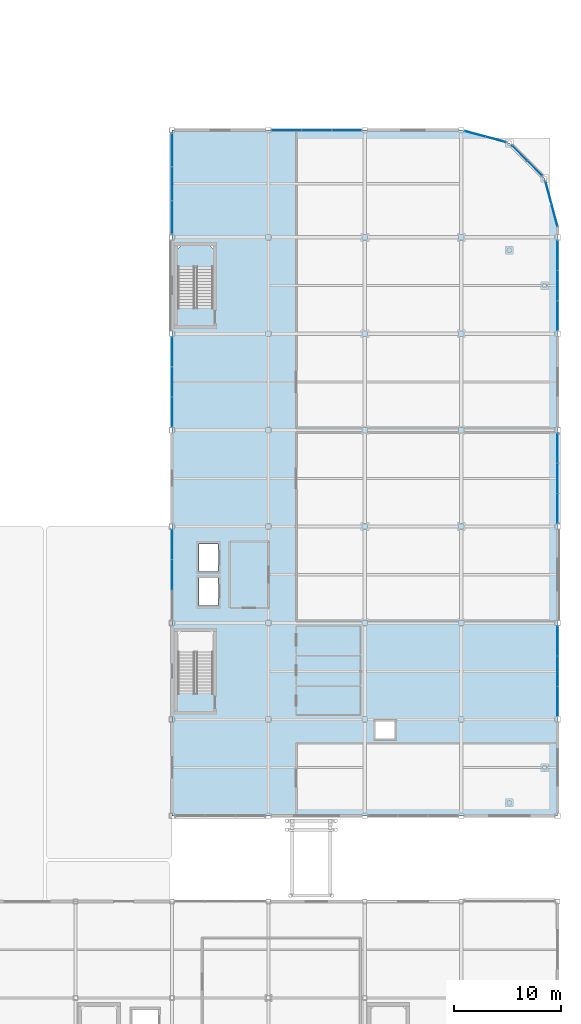
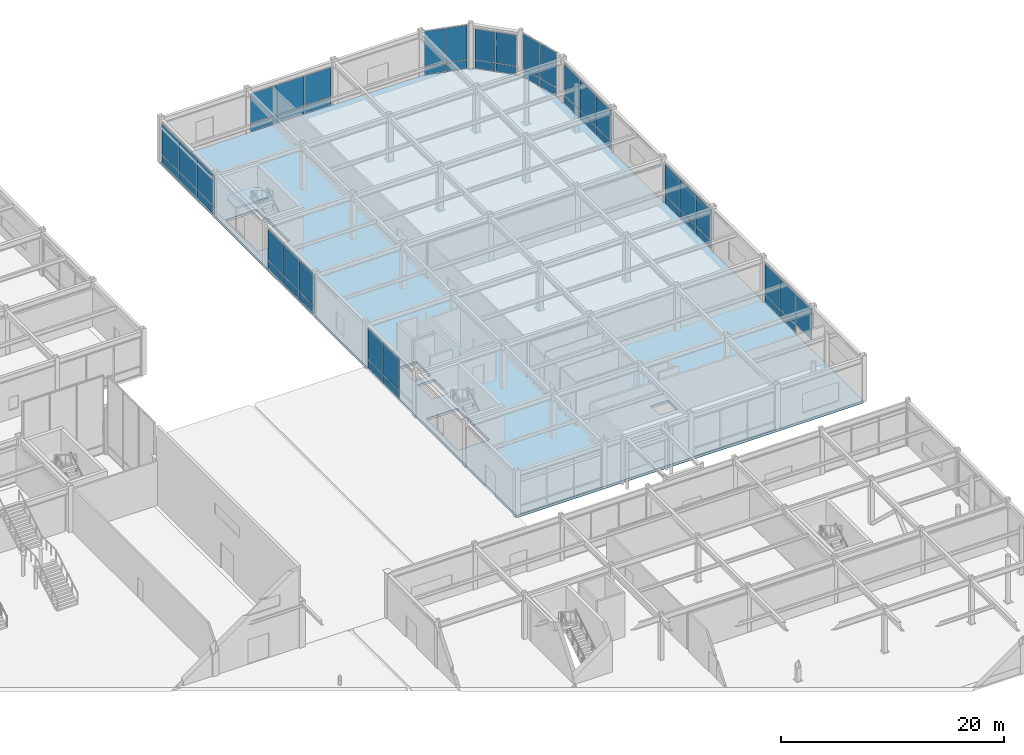
# One storey, part 70 of 123: 51 plates, 2 slabs, 11 elements without a shape of their own.
"""IFC4 building model written with IfcOpenShell, lengths in metres."""

from ifc_helpers import new_model, si_unit, direction, frame, origin, origin_2d, place, context, subcontext, project, spatial, polyline, rectangle, outline, extrude, material, layer, layer_set, type_object, element, aggregate, save


model = new_model("IFC4")

# Units and contexts
model_context = context("Model", 3, precision=1e-05, world=origin(), true_north=direction((0.0, 1.0)))
body_context = subcontext(model_context, "Body", "Model", "MODEL_VIEW")
ifc_project = project(units=[si_unit("LENGTHUNIT", "METRE"), si_unit("AREAUNIT", "SQUARE_METRE"), si_unit("VOLUMEUNIT", "CUBIC_METRE"), si_unit("PLANEANGLEUNIT", "RADIAN"), si_unit("MASSUNIT", "GRAM", prefix="KILO")], contexts=[model_context])

# Site, building, storey
site_placement = place(None, origin())
site = spatial("IfcSite", under=ifc_project, at=site_placement, CompositionType="ELEMENT")
building_placement = place(site_placement, origin())
building = spatial("IfcBuilding", under=site, at=building_placement, Name="Suzunagisa Mobility Hub", CompositionType="ELEMENT")
storey_placement = place(building_placement, origin())
storey = spatial("IfcBuildingStorey", under=building, at=storey_placement, Name="L00", CompositionType="ELEMENT", Elevation=0.0)

# Slab
ifc_material_1 = material(Name="Concrete C35/45", Category="concrete")
ifc_layer_1 = layer(ifc_material_1, 0.280029296875)
ifc_layer_set_1 = layer_set([ifc_layer_1], Name="Concrete C35/45")
slab_type_1 = type_object("IfcSlabType", Name="Composite Slab SL-10 280mm", PredefinedType="FLOOR", material=ifc_layer_set_1)
slab_1_placement = place(storey_placement, frame((0.0, 0.0, -0.280029296875)))
element("IfcSlab", 1, at=slab_1_placement, inside=storey, type_object=slab_type_1, Name="L00 V6N Floor Slab", PredefinedType="FLOOR", context=body_context, shape_type="SweptSolid", body=[
    extrude(outline(polyline([(144.0, 44.0), (180.0, 44.0), (180.0, 99.0), (178.794189453125, 103.5), (175.5, 106.794189453125), (171.0, 108.0), (144.0, 108.0), (144.0, 44.0)]), holes=[polyline([(163.0, 51.199951171875), (164.800048828125, 51.199951171875), (164.800048828125, 52.800048828125), (163.0, 52.800048828125), (163.0, 51.199951171875)]), polyline([(144.56005859375, 55.47998046875), (147.840087890625, 55.47998046875), (147.840087890625, 61.199951171875), (144.56005859375, 61.199951171875), (144.56005859375, 55.47998046875)]), polyline([(146.52001953125, 63.6201171875), (148.280029296875, 63.6201171875), (148.280029296875, 66.179931640625), (146.52001953125, 66.179931640625), (146.52001953125, 63.6201171875)]), polyline([(146.52001953125, 66.820068359375), (148.280029296875, 66.820068359375), (148.280029296875, 69.3798828125), (146.52001953125, 69.3798828125), (146.52001953125, 66.820068359375)]), polyline([(144.56005859375, 91.47998046875), (147.840087890625, 91.47998046875), (147.840087890625, 97.199951171875), (144.56005859375, 97.199951171875), (144.56005859375, 91.47998046875)])]), origin(), (0.0, 0.0, 1.0), 0.280029296875),
])

# Stair, slab
stair_type = type_object("IfcStairType", Name="Dog-Leg Core Escape Stair ST-12 W1560", PredefinedType="HALF_TURN_STAIR", material=ifc_material_1)
stair_placement = place(storey_placement, origin())
stair = element("IfcStair", 2, at=stair_placement, inside=storey, type_object=stair_type, Name="L00 Core C5B Escape Stair ST-12", PredefinedType="HALF_TURN_STAIR")
ifc_layer_2 = layer(ifc_material_1, 0.199951171875)
ifc_layer_set_2 = layer_set([ifc_layer_2], Name="Concrete C35/45")
slab_type_2 = type_object("IfcSlabType", Name="Core Stair Half-Landing Slab SL-SLND", PredefinedType="LANDING", material=ifc_layer_set_2)
slab_2_placement = place(storey_placement, frame((0.0, 0.0, 2.35009765625)))
slab_2 = element("IfcSlab", 3, at=slab_2_placement, type_object=slab_type_2, Name="ST-12 landing 1", PredefinedType="LANDING", context=body_context, shape_type="SweptSolid", body=[
    extrude(outline(polyline([(144.4599609375, 95.199951171875), (147.93994140625, 95.199951171875), (147.93994140625, 96.820068359375), (147.4599609375, 97.300048828125), (144.93994140625, 97.300048828125), (144.4599609375, 96.820068359375), (144.4599609375, 95.199951171875)])), origin(), (0.0, 0.0, 1.0), 0.199951171875),
])
aggregate(stair, [slab_2])

# Curtain wall, plates
ifc_material_2 = material(Name="Thermally Broken Anodized Aluminum and Low-E Glazing", Category="aluminium")
curtain_wall_type_1 = type_object("IfcCurtainWallType", Name="Unitised Curtain Wall CW-47 8500x4400", PredefinedType="USERDEFINED", material=ifc_material_2)
curtain_wall_1_placement = place(storey_placement, origin())
curtain_wall_1 = element("IfcCurtainWall", 4, at=curtain_wall_1_placement, inside=storey, type_object=curtain_wall_type_1, Name="L00 Unitised Curtain Wall CW-173", ObjectType="UNITISED CURTAIN WALL", PredefinedType="USERDEFINED")
ifc_material_3 = material(Name="Low-E Solar-Control Double Glazing", Category="glass")
ifc_layer_3 = layer(ifc_material_3, 0.028076171875)
ifc_layer_set_3 = layer_set([ifc_layer_3], Name="Low-E Solar-Control Double Glazing")
plate_type = type_object("IfcPlateType", Name="Low-E Double Glazed Curtain Panel GP-01 28mm", PredefinedType="CURTAIN_PANEL", material=ifc_layer_set_3)
plate_1_placement = place(storey_placement, frame((180.0, 54.682861328125, 0.98046875), z_axis=(0.0, 0.0, 1.0), x_axis=(0.0, 1.0, 0.0)))
plate_1 = element("IfcPlate", 5, at=plate_1_placement, type_object=plate_type, Name="Curtain Wall Glazing Panel 173-P1.2", PredefinedType="CURTAIN_PANEL", context=body_context, shape_type="SweptSolid", body=[
    extrude(rectangle(XDim=2.73974609375, YDim=0.028076171875, at=origin_2d()), origin(), (0.0, 0.0, 1.0), 3.396484375),
])
plate_2_placement = place(storey_placement, frame((180.0, 57.5, 0.06298828125), z_axis=(0.0, 0.0, 1.0), x_axis=(0.0, 1.0, 0.0)))
plate_2 = element("IfcPlate", 6, at=plate_2_placement, type_object=plate_type, Name="Curtain Wall Glazing Panel 173-P2.1", PredefinedType="CURTAIN_PANEL", context=body_context, shape_type="SweptSolid", body=[
    extrude(rectangle(XDim=2.7724609375, YDim=0.028076171875, at=origin_2d()), origin(), (0.0, 0.0, 1.0), 0.8564453125),
])
plate_3_placement = place(storey_placement, frame((180.0, 57.5, 0.98046875), z_axis=(0.0, 0.0, 1.0), x_axis=(0.0, 1.0, 0.0)))
plate_3 = element("IfcPlate", 7, at=plate_3_placement, type_object=plate_type, Name="Curtain Wall Glazing Panel 173-P2.2", PredefinedType="CURTAIN_PANEL", context=body_context, shape_type="SweptSolid", body=[
    extrude(rectangle(XDim=2.7724609375, YDim=0.028076171875, at=origin_2d()), origin(), (0.0, 0.0, 1.0), 3.396484375),
])
plate_4_placement = place(storey_placement, frame((180.0, 60.317138671875, 0.06298828125), z_axis=(0.0, 0.0, 1.0), x_axis=(0.0, 1.0, 0.0)))
plate_4 = element("IfcPlate", 8, at=plate_4_placement, type_object=plate_type, Name="Curtain Wall Glazing Panel 173-P3.1", PredefinedType="CURTAIN_PANEL", context=body_context, shape_type="SweptSolid", body=[
    extrude(rectangle(XDim=2.73974609375, YDim=0.028076171875, at=origin_2d()), origin(), (0.0, 0.0, 1.0), 0.8564453125),
])
plate_5_placement = place(storey_placement, frame((180.0, 60.317138671875, 0.98046875), z_axis=(0.0, 0.0, 1.0), x_axis=(0.0, 1.0, 0.0)))
plate_5 = element("IfcPlate", 9, at=plate_5_placement, type_object=plate_type, Name="Curtain Wall Glazing Panel 173-P3.2", PredefinedType="CURTAIN_PANEL", context=body_context, shape_type="SweptSolid", body=[
    extrude(rectangle(XDim=2.73974609375, YDim=0.028076171875, at=origin_2d()), origin(), (0.0, 0.0, 1.0), 3.396484375),
])
aggregate(curtain_wall_1, [plate_1, plate_2, plate_3, plate_4, plate_5])

curtain_wall_2_placement = place(storey_placement, origin())
curtain_wall_2 = element("IfcCurtainWall", 10, at=curtain_wall_2_placement, inside=storey, type_object=curtain_wall_type_1, Name="L00 Unitised Curtain Wall CW-174", ObjectType="UNITISED CURTAIN WALL", PredefinedType="USERDEFINED")
plate_6_placement = place(storey_placement, frame((180.0, 72.682861328125, 0.06298828125), z_axis=(0.0, 0.0, 1.0), x_axis=(0.0, 1.0, 0.0)))
plate_6 = element("IfcPlate", 11, at=plate_6_placement, type_object=plate_type, Name="Curtain Wall Glazing Panel 174-P1.1", PredefinedType="CURTAIN_PANEL", context=body_context, shape_type="SweptSolid", body=[
    extrude(rectangle(XDim=2.73974609375, YDim=0.028076171875, at=origin_2d()), origin(), (0.0, 0.0, 1.0), 0.8564453125),
])
plate_7_placement = place(storey_placement, frame((180.0, 72.682861328125, 0.98046875), z_axis=(0.0, 0.0, 1.0), x_axis=(0.0, 1.0, 0.0)))
plate_7 = element("IfcPlate", 12, at=plate_7_placement, type_object=plate_type, Name="Curtain Wall Glazing Panel 174-P1.2", PredefinedType="CURTAIN_PANEL", context=body_context, shape_type="SweptSolid", body=[
    extrude(rectangle(XDim=2.73974609375, YDim=0.028076171875, at=origin_2d()), origin(), (0.0, 0.0, 1.0), 3.396484375),
])
plate_8_placement = place(storey_placement, frame((180.0, 75.5, 0.06298828125), z_axis=(0.0, 0.0, 1.0), x_axis=(0.0, 1.0, 0.0)))
plate_8 = element("IfcPlate", 13, at=plate_8_placement, type_object=plate_type, Name="Curtain Wall Glazing Panel 174-P2.1", PredefinedType="CURTAIN_PANEL", context=body_context, shape_type="SweptSolid", body=[
    extrude(rectangle(XDim=2.7724609375, YDim=0.028076171875, at=origin_2d()), origin(), (0.0, 0.0, 1.0), 0.8564453125),
])
plate_9_placement = place(storey_placement, frame((180.0, 75.5, 0.98046875), z_axis=(0.0, 0.0, 1.0), x_axis=(0.0, 1.0, 0.0)))
plate_9 = element("IfcPlate", 14, at=plate_9_placement, type_object=plate_type, Name="Curtain Wall Glazing Panel 174-P2.2", PredefinedType="CURTAIN_PANEL", context=body_context, shape_type="SweptSolid", body=[
    extrude(rectangle(XDim=2.7724609375, YDim=0.028076171875, at=origin_2d()), origin(), (0.0, 0.0, 1.0), 3.396484375),
])
plate_10_placement = place(storey_placement, frame((180.0, 78.317138671875, 0.06298828125), z_axis=(0.0, 0.0, 1.0), x_axis=(0.0, 1.0, 0.0)))
plate_10 = element("IfcPlate", 15, at=plate_10_placement, type_object=plate_type, Name="Curtain Wall Glazing Panel 174-P3.1", PredefinedType="CURTAIN_PANEL", context=body_context, shape_type="SweptSolid", body=[
    extrude(rectangle(XDim=2.73974609375, YDim=0.028076171875, at=origin_2d()), origin(), (0.0, 0.0, 1.0), 0.8564453125),
])
plate_11_placement = place(storey_placement, frame((180.0, 78.317138671875, 0.98046875), z_axis=(0.0, 0.0, 1.0), x_axis=(0.0, 1.0, 0.0)))
plate_11 = element("IfcPlate", 16, at=plate_11_placement, type_object=plate_type, Name="Curtain Wall Glazing Panel 174-P3.2", PredefinedType="CURTAIN_PANEL", context=body_context, shape_type="SweptSolid", body=[
    extrude(rectangle(XDim=2.73974609375, YDim=0.028076171875, at=origin_2d()), origin(), (0.0, 0.0, 1.0), 3.396484375),
])
aggregate(curtain_wall_2, [plate_6, plate_7, plate_8, plate_9, plate_10, plate_11])

curtain_wall_3_placement = place(storey_placement, origin())
curtain_wall_3 = element("IfcCurtainWall", 17, at=curtain_wall_3_placement, inside=storey, type_object=curtain_wall_type_1, Name="L00 Unitised Curtain Wall CW-175", ObjectType="UNITISED CURTAIN WALL", PredefinedType="USERDEFINED")
plate_12_placement = place(storey_placement, frame((180.0, 90.682861328125, 0.06298828125), z_axis=(0.0, 0.0, 1.0), x_axis=(0.0, 1.0, 0.0)))
plate_12 = element("IfcPlate", 18, at=plate_12_placement, type_object=plate_type, Name="Curtain Wall Glazing Panel 175-P1.1", PredefinedType="CURTAIN_PANEL", context=body_context, shape_type="SweptSolid", body=[
    extrude(rectangle(XDim=2.73974609375, YDim=0.028076171875, at=origin_2d()), origin(), (0.0, 0.0, 1.0), 0.8564453125),
])
plate_13_placement = place(storey_placement, frame((180.0, 90.682861328125, 0.98046875), z_axis=(0.0, 0.0, 1.0), x_axis=(0.0, 1.0, 0.0)))
plate_13 = element("IfcPlate", 19, at=plate_13_placement, type_object=plate_type, Name="Curtain Wall Glazing Panel 175-P1.2", PredefinedType="CURTAIN_PANEL", context=body_context, shape_type="SweptSolid", body=[
    extrude(rectangle(XDim=2.73974609375, YDim=0.028076171875, at=origin_2d()), origin(), (0.0, 0.0, 1.0), 3.396484375),
])
plate_14_placement = place(storey_placement, frame((180.0, 93.5, 0.06298828125), z_axis=(0.0, 0.0, 1.0), x_axis=(0.0, 1.0, 0.0)))
plate_14 = element("IfcPlate", 20, at=plate_14_placement, type_object=plate_type, Name="Curtain Wall Glazing Panel 175-P2.1", PredefinedType="CURTAIN_PANEL", context=body_context, shape_type="SweptSolid", body=[
    extrude(rectangle(XDim=2.7724609375, YDim=0.028076171875, at=origin_2d()), origin(), (0.0, 0.0, 1.0), 0.8564453125),
])
plate_15_placement = place(storey_placement, frame((180.0, 93.5, 0.98046875), z_axis=(0.0, 0.0, 1.0), x_axis=(0.0, 1.0, 0.0)))
plate_15 = element("IfcPlate", 21, at=plate_15_placement, type_object=plate_type, Name="Curtain Wall Glazing Panel 175-P2.2", PredefinedType="CURTAIN_PANEL", context=body_context, shape_type="SweptSolid", body=[
    extrude(rectangle(XDim=2.7724609375, YDim=0.028076171875, at=origin_2d()), origin(), (0.0, 0.0, 1.0), 3.396484375),
])
plate_16_placement = place(storey_placement, frame((180.0, 96.317138671875, 0.06298828125), z_axis=(0.0, 0.0, 1.0), x_axis=(0.0, 1.0, 0.0)))
plate_16 = element("IfcPlate", 22, at=plate_16_placement, type_object=plate_type, Name="Curtain Wall Glazing Panel 175-P3.1", PredefinedType="CURTAIN_PANEL", context=body_context, shape_type="SweptSolid", body=[
    extrude(rectangle(XDim=2.73974609375, YDim=0.028076171875, at=origin_2d()), origin(), (0.0, 0.0, 1.0), 0.8564453125),
])
plate_17_placement = place(storey_placement, frame((180.0, 96.317138671875, 0.98046875), z_axis=(0.0, 0.0, 1.0), x_axis=(0.0, 1.0, 0.0)))
plate_17 = element("IfcPlate", 23, at=plate_17_placement, type_object=plate_type, Name="Curtain Wall Glazing Panel 175-P3.2", PredefinedType="CURTAIN_PANEL", context=body_context, shape_type="SweptSolid", body=[
    extrude(rectangle(XDim=2.73974609375, YDim=0.028076171875, at=origin_2d()), origin(), (0.0, 0.0, 1.0), 3.396484375),
])
aggregate(curtain_wall_3, [plate_12, plate_13, plate_14, plate_15, plate_16, plate_17])

curtain_wall_type_2 = type_object("IfcCurtainWallType", Name="Unitised Curtain Wall CW-08 4500x4800", PredefinedType="USERDEFINED", material=ifc_material_2)
curtain_wall_4_placement = place(storey_placement, origin())
curtain_wall_4 = element("IfcCurtainWall", 24, at=curtain_wall_4_placement, inside=storey, type_object=curtain_wall_type_2, Name="L00 Unitised Curtain Wall CW-176", ObjectType="UNITISED CURTAIN WALL", PredefinedType="USERDEFINED")
plate_18_placement = place(storey_placement, frame((179.71240234375, 100.072998046875, 0.05810546875), z_axis=(0.0, 0.0, 1.0), x_axis=(-0.258815230137, 0.965926848498, 0.0)))
plate_18 = element("IfcPlate", 25, at=plate_18_placement, type_object=plate_type, Name="Curtain Wall Glazing Panel 176-P1.1", PredefinedType="CURTAIN_PANEL", context=body_context, shape_type="SweptSolid", body=[
    extrude(rectangle(XDim=2.095947265625, YDim=0.028076171875, at=origin_2d()), origin(), (0.0, 0.0, 1.0), 0.864013671875),
])
plate_19_placement = place(storey_placement, frame((179.71240234375, 100.072998046875, 0.97802734375), z_axis=(0.0, 0.0, 1.0), x_axis=(-0.258815230137, 0.965926848498, 0.0)))
plate_19 = element("IfcPlate", 26, at=plate_19_placement, type_object=plate_type, Name="Curtain Wall Glazing Panel 176-P1.2", PredefinedType="CURTAIN_PANEL", context=body_context, shape_type="SweptSolid", body=[
    extrude(rectangle(XDim=2.095947265625, YDim=0.028076171875, at=origin_2d()), origin(), (0.0, 0.0, 1.0), 3.803955078125),
])
plate_20_placement = place(storey_placement, frame((179.154296875, 102.156494140625, 0.05810546875), z_axis=(0.0, 0.0, 1.0), x_axis=(-0.258815230137, 0.965926848498, 0.0)))
plate_20 = element("IfcPlate", 27, at=plate_20_placement, type_object=plate_type, Name="Curtain Wall Glazing Panel 176-P2.1", PredefinedType="CURTAIN_PANEL", context=body_context, shape_type="SweptSolid", body=[
    extrude(rectangle(XDim=2.095947265625, YDim=0.028076171875, at=origin_2d()), origin(), (0.0, 0.0, 1.0), 0.864013671875),
])
plate_21_placement = place(storey_placement, frame((179.154296875, 102.156494140625, 0.97802734375), z_axis=(0.0, 0.0, 1.0), x_axis=(-0.258815230137, 0.965926848498, 0.0)))
plate_21 = element("IfcPlate", 28, at=plate_21_placement, type_object=plate_type, Name="Curtain Wall Glazing Panel 176-P2.2", PredefinedType="CURTAIN_PANEL", context=body_context, shape_type="SweptSolid", body=[
    extrude(rectangle(XDim=2.095947265625, YDim=0.028076171875, at=origin_2d()), origin(), (0.0, 0.0, 1.0), 3.803955078125),
])
aggregate(curtain_wall_4, [plate_18, plate_19, plate_20, plate_21])

curtain_wall_type_3 = type_object("IfcCurtainWallType", Name="Unitised Curtain Wall CW-26 4000x4400", PredefinedType="USERDEFINED", material=ifc_material_2)
curtain_wall_5_placement = place(storey_placement, origin())
curtain_wall_5 = element("IfcCurtainWall", 29, at=curtain_wall_5_placement, inside=storey, type_object=curtain_wall_type_3, Name="L00 Unitised Curtain Wall CW-177", ObjectType="UNITISED CURTAIN WALL", PredefinedType="USERDEFINED")
plate_22_placement = place(storey_placement, frame((177.8447265625, 104.449462890625, 0.05810546875), z_axis=(0.0, 0.0, 1.0), x_axis=(-0.707106781187, 0.707106781187, 0.0)))
plate_22 = element("IfcPlate", 30, at=plate_22_placement, type_object=plate_type, Name="Curtain Wall Glazing Panel 177-P1.1", PredefinedType="CURTAIN_PANEL", context=body_context, shape_type="SweptSolid", body=[
    extrude(rectangle(XDim=1.91259765625, YDim=0.028076171875, at=origin_2d()), origin(), (0.0, 0.0, 1.0), 0.864013671875),
])
plate_23_placement = place(storey_placement, frame((177.8447265625, 104.449462890625, 0.97802734375), z_axis=(0.0, 0.0, 1.0), x_axis=(-0.707106781187, 0.707106781187, 0.0)))
plate_23 = element("IfcPlate", 31, at=plate_23_placement, type_object=plate_type, Name="Curtain Wall Glazing Panel 177-P1.2", PredefinedType="CURTAIN_PANEL", context=body_context, shape_type="SweptSolid", body=[
    extrude(rectangle(XDim=1.91259765625, YDim=0.028076171875, at=origin_2d()), origin(), (0.0, 0.0, 1.0), 3.404052734375),
])
plate_24_placement = place(storey_placement, frame((176.44921875, 105.844970703125, 0.05810546875), z_axis=(0.0, 0.0, 1.0), x_axis=(-0.707106781187, 0.707106781187, 0.0)))
plate_24 = element("IfcPlate", 32, at=plate_24_placement, type_object=plate_type, Name="Curtain Wall Glazing Panel 177-P2.1", PredefinedType="CURTAIN_PANEL", context=body_context, shape_type="SweptSolid", body=[
    extrude(rectangle(XDim=1.91259765625, YDim=0.028076171875, at=origin_2d()), origin(), (0.0, 0.0, 1.0), 0.864013671875),
])
plate_25_placement = place(storey_placement, frame((176.44921875, 105.844970703125, 0.97802734375), z_axis=(0.0, 0.0, 1.0), x_axis=(-0.707106781187, 0.707106781187, 0.0)))
plate_25 = element("IfcPlate", 33, at=plate_25_placement, type_object=plate_type, Name="Curtain Wall Glazing Panel 177-P2.2", PredefinedType="CURTAIN_PANEL", context=body_context, shape_type="SweptSolid", body=[
    extrude(rectangle(XDim=1.91259765625, YDim=0.028076171875, at=origin_2d()), origin(), (0.0, 0.0, 1.0), 3.404052734375),
])
aggregate(curtain_wall_5, [plate_22, plate_23, plate_24, plate_25])

curtain_wall_type_4 = type_object("IfcCurtainWallType", Name="Unitised Curtain Wall CW-38 4000x4800", PredefinedType="USERDEFINED", material=ifc_material_2)
curtain_wall_6_placement = place(storey_placement, origin())
curtain_wall_6 = element("IfcCurtainWall", 34, at=curtain_wall_6_placement, inside=storey, type_object=curtain_wall_type_4, Name="L00 Unitised Curtain Wall CW-178", ObjectType="UNITISED CURTAIN WALL", PredefinedType="USERDEFINED")
plate_26_placement = place(storey_placement, frame((174.23046875, 107.134521484375, 0.05810546875), z_axis=(0.0, 0.0, 1.0), x_axis=(-0.965923280752, 0.258828544988, 0.0)))
plate_26 = element("IfcPlate", 35, at=plate_26_placement, type_object=plate_type, Name="Curtain Wall Glazing Panel 178-P1.1", PredefinedType="CURTAIN_PANEL", context=body_context, shape_type="SweptSolid", body=[
    extrude(rectangle(XDim=1.94287109375, YDim=0.028076171875, at=origin_2d()), origin(), (0.0, 0.0, 1.0), 0.864013671875),
])
plate_27_placement = place(storey_placement, frame((174.23046875, 107.134521484375, 0.97802734375), z_axis=(0.0, 0.0, 1.0), x_axis=(-0.965923280752, 0.258828544988, 0.0)))
plate_27 = element("IfcPlate", 36, at=plate_27_placement, type_object=plate_type, Name="Curtain Wall Glazing Panel 178-P1.2", PredefinedType="CURTAIN_PANEL", context=body_context, shape_type="SweptSolid", body=[
    extrude(rectangle(XDim=1.94287109375, YDim=0.028076171875, at=origin_2d()), origin(), (0.0, 0.0, 1.0), 3.803955078125),
])
plate_28_placement = place(storey_placement, frame((172.294921875, 107.653076171875, 0.05810546875), z_axis=(0.0, 0.0, 1.0), x_axis=(-0.965923280752, 0.258828544988, 0.0)))
plate_28 = element("IfcPlate", 37, at=plate_28_placement, type_object=plate_type, Name="Curtain Wall Glazing Panel 178-P2.1", PredefinedType="CURTAIN_PANEL", context=body_context, shape_type="SweptSolid", body=[
    extrude(rectangle(XDim=1.94287109375, YDim=0.028076171875, at=origin_2d()), origin(), (0.0, 0.0, 1.0), 0.864013671875),
])
plate_29_placement = place(storey_placement, frame((172.294921875, 107.653076171875, 0.97802734375), z_axis=(0.0, 0.0, 1.0), x_axis=(-0.965923280752, 0.258828544988, 0.0)))
plate_29 = element("IfcPlate", 38, at=plate_29_placement, type_object=plate_type, Name="Curtain Wall Glazing Panel 178-P2.2", PredefinedType="CURTAIN_PANEL", context=body_context, shape_type="SweptSolid", body=[
    extrude(rectangle(XDim=1.94287109375, YDim=0.028076171875, at=origin_2d()), origin(), (0.0, 0.0, 1.0), 3.803955078125),
])
aggregate(curtain_wall_6, [plate_26, plate_27, plate_28, plate_29])

curtain_wall_type_5 = type_object("IfcCurtainWallType", Name="Unitised Curtain Wall CW-21 8500x4300", PredefinedType="USERDEFINED", material=ifc_material_2)
curtain_wall_7_placement = place(storey_placement, origin())
curtain_wall_7 = element("IfcCurtainWall", 39, at=curtain_wall_7_placement, inside=storey, type_object=curtain_wall_type_5, Name="L00 Unitised Curtain Wall CW-179", ObjectType="UNITISED CURTAIN WALL", PredefinedType="USERDEFINED")
plate_30_placement = place(storey_placement, frame((160.317138671875, 108.0, 0.06298828125), z_axis=(0.0, 0.0, 1.0), x_axis=(-1.0, 0.0, 0.0)))
plate_30 = element("IfcPlate", 40, at=plate_30_placement, type_object=plate_type, Name="Curtain Wall Glazing Panel 179-P1.1", PredefinedType="CURTAIN_PANEL", context=body_context, shape_type="SweptSolid", body=[
    extrude(rectangle(XDim=2.73974609375, YDim=0.028076171875, at=origin_2d()), origin(), (0.0, 0.0, 1.0), 0.8564453125),
])
plate_31_placement = place(storey_placement, frame((160.317138671875, 108.0, 0.98046875), z_axis=(0.0, 0.0, 1.0), x_axis=(-1.0, 0.0, 0.0)))
plate_31 = element("IfcPlate", 41, at=plate_31_placement, type_object=plate_type, Name="Curtain Wall Glazing Panel 179-P1.2", PredefinedType="CURTAIN_PANEL", context=body_context, shape_type="SweptSolid", body=[
    extrude(rectangle(XDim=2.73974609375, YDim=0.028076171875, at=origin_2d()), origin(), (0.0, 0.0, 1.0), 3.20849609375),
])
plate_32_placement = place(storey_placement, frame((157.5, 108.0, 0.06298828125), z_axis=(0.0, 0.0, 1.0), x_axis=(-1.0, 0.0, 0.0)))
plate_32 = element("IfcPlate", 42, at=plate_32_placement, type_object=plate_type, Name="Curtain Wall Glazing Panel 179-P2.1", PredefinedType="CURTAIN_PANEL", context=body_context, shape_type="SweptSolid", body=[
    extrude(rectangle(XDim=2.7724609375, YDim=0.028076171875, at=origin_2d()), origin(), (0.0, 0.0, 1.0), 0.8564453125),
])
plate_33_placement = place(storey_placement, frame((157.5, 108.0, 0.98046875), z_axis=(0.0, 0.0, 1.0), x_axis=(-1.0, 0.0, 0.0)))
plate_33 = element("IfcPlate", 43, at=plate_33_placement, type_object=plate_type, Name="Curtain Wall Glazing Panel 179-P2.2", PredefinedType="CURTAIN_PANEL", context=body_context, shape_type="SweptSolid", body=[
    extrude(rectangle(XDim=2.7724609375, YDim=0.028076171875, at=origin_2d()), origin(), (0.0, 0.0, 1.0), 3.20849609375),
])
plate_34_placement = place(storey_placement, frame((154.682861328125, 108.0, 0.06298828125), z_axis=(0.0, 0.0, 1.0), x_axis=(-1.0, 0.0, 0.0)))
plate_34 = element("IfcPlate", 44, at=plate_34_placement, type_object=plate_type, Name="Curtain Wall Glazing Panel 179-P3.1", PredefinedType="CURTAIN_PANEL", context=body_context, shape_type="SweptSolid", body=[
    extrude(rectangle(XDim=2.73974609375, YDim=0.028076171875, at=origin_2d()), origin(), (0.0, 0.0, 1.0), 0.8564453125),
])
plate_35_placement = place(storey_placement, frame((154.682861328125, 108.0, 0.98046875), z_axis=(0.0, 0.0, 1.0), x_axis=(-1.0, 0.0, 0.0)))
plate_35 = element("IfcPlate", 45, at=plate_35_placement, type_object=plate_type, Name="Curtain Wall Glazing Panel 179-P3.2", PredefinedType="CURTAIN_PANEL", context=body_context, shape_type="SweptSolid", body=[
    extrude(rectangle(XDim=2.73974609375, YDim=0.028076171875, at=origin_2d()), origin(), (0.0, 0.0, 1.0), 3.20849609375),
])
aggregate(curtain_wall_7, [plate_30, plate_31, plate_32, plate_33, plate_34, plate_35])

curtain_wall_type_6 = type_object("IfcCurtainWallType", Name="Unitised Curtain Wall CW-16 9500x4400", PredefinedType="USERDEFINED", material=ifc_material_2)
curtain_wall_8_placement = place(storey_placement, origin())
curtain_wall_8 = element("IfcCurtainWall", 46, at=curtain_wall_8_placement, inside=storey, type_object=curtain_wall_type_6, Name="L00 Unitised Curtain Wall CW-180", ObjectType="UNITISED CURTAIN WALL", PredefinedType="USERDEFINED")
plate_36_placement = place(storey_placement, frame((144.0, 106.150390625, 0.06298828125), z_axis=(0.0, 0.0, 1.0), x_axis=(0.0, -1.0, 0.0)))
plate_36 = element("IfcPlate", 47, at=plate_36_placement, type_object=plate_type, Name="Curtain Wall Glazing Panel 180-P1.1", PredefinedType="CURTAIN_PANEL", context=body_context, shape_type="SweptSolid", body=[
    extrude(rectangle(XDim=3.0732421875, YDim=0.028076171875, at=origin_2d()), origin(), (0.0, 0.0, 1.0), 0.8564453125),
])
plate_37_placement = place(storey_placement, frame((144.0, 106.150390625, 0.98046875), z_axis=(0.0, 0.0, 1.0), x_axis=(0.0, -1.0, 0.0)))
plate_37 = element("IfcPlate", 48, at=plate_37_placement, type_object=plate_type, Name="Curtain Wall Glazing Panel 180-P1.2", PredefinedType="CURTAIN_PANEL", context=body_context, shape_type="SweptSolid", body=[
    extrude(rectangle(XDim=3.0732421875, YDim=0.028076171875, at=origin_2d()), origin(), (0.0, 0.0, 1.0), 3.396484375),
])
plate_38_placement = place(storey_placement, frame((144.0, 103.0, 0.06298828125), z_axis=(0.0, 0.0, 1.0), x_axis=(0.0, -1.0, 0.0)))
plate_38 = element("IfcPlate", 49, at=plate_38_placement, type_object=plate_type, Name="Curtain Wall Glazing Panel 180-P2.1", PredefinedType="CURTAIN_PANEL", context=body_context, shape_type="SweptSolid", body=[
    extrude(rectangle(XDim=3.105712890625, YDim=0.028076171875, at=origin_2d()), origin(), (0.0, 0.0, 1.0), 0.8564453125),
])
plate_39_placement = place(storey_placement, frame((144.0, 103.0, 0.98046875), z_axis=(0.0, 0.0, 1.0), x_axis=(0.0, -1.0, 0.0)))
plate_39 = element("IfcPlate", 50, at=plate_39_placement, type_object=plate_type, Name="Curtain Wall Glazing Panel 180-P2.2", PredefinedType="CURTAIN_PANEL", context=body_context, shape_type="SweptSolid", body=[
    extrude(rectangle(XDim=3.105712890625, YDim=0.028076171875, at=origin_2d()), origin(), (0.0, 0.0, 1.0), 3.396484375),
])
plate_40_placement = place(storey_placement, frame((144.0, 99.849609375, 0.06298828125), z_axis=(0.0, 0.0, 1.0), x_axis=(0.0, -1.0, 0.0)))
plate_40 = element("IfcPlate", 51, at=plate_40_placement, type_object=plate_type, Name="Curtain Wall Glazing Panel 180-P3.1", PredefinedType="CURTAIN_PANEL", context=body_context, shape_type="SweptSolid", body=[
    extrude(rectangle(XDim=3.0732421875, YDim=0.028076171875, at=origin_2d()), origin(), (0.0, 0.0, 1.0), 0.8564453125),
])
plate_41_placement = place(storey_placement, frame((144.0, 99.849609375, 0.98046875), z_axis=(0.0, 0.0, 1.0), x_axis=(0.0, -1.0, 0.0)))
plate_41 = element("IfcPlate", 52, at=plate_41_placement, type_object=plate_type, Name="Curtain Wall Glazing Panel 180-P3.2", PredefinedType="CURTAIN_PANEL", context=body_context, shape_type="SweptSolid", body=[
    extrude(rectangle(XDim=3.0732421875, YDim=0.028076171875, at=origin_2d()), origin(), (0.0, 0.0, 1.0), 3.396484375),
])
aggregate(curtain_wall_8, [plate_36, plate_37, plate_38, plate_39, plate_40, plate_41])

curtain_wall_9_placement = place(storey_placement, origin())
curtain_wall_9 = element("IfcCurtainWall", 53, at=curtain_wall_9_placement, inside=storey, type_object=curtain_wall_type_1, Name="L00 Unitised Curtain Wall CW-181", ObjectType="UNITISED CURTAIN WALL", PredefinedType="USERDEFINED")
plate_42_placement = place(storey_placement, frame((144.0, 87.317138671875, 0.06298828125), z_axis=(0.0, 0.0, 1.0), x_axis=(0.0, -1.0, 0.0)))
plate_42 = element("IfcPlate", 54, at=plate_42_placement, type_object=plate_type, Name="Curtain Wall Glazing Panel 181-P1.1", PredefinedType="CURTAIN_PANEL", context=body_context, shape_type="SweptSolid", body=[
    extrude(rectangle(XDim=2.73974609375, YDim=0.028076171875, at=origin_2d()), origin(), (0.0, 0.0, 1.0), 0.8564453125),
])
plate_43_placement = place(storey_placement, frame((144.0, 87.317138671875, 0.98046875), z_axis=(0.0, 0.0, 1.0), x_axis=(0.0, -1.0, 0.0)))
plate_43 = element("IfcPlate", 55, at=plate_43_placement, type_object=plate_type, Name="Curtain Wall Glazing Panel 181-P1.2", PredefinedType="CURTAIN_PANEL", context=body_context, shape_type="SweptSolid", body=[
    extrude(rectangle(XDim=2.73974609375, YDim=0.028076171875, at=origin_2d()), origin(), (0.0, 0.0, 1.0), 3.396484375),
])
plate_44_placement = place(storey_placement, frame((144.0, 84.5, 0.06298828125), z_axis=(0.0, 0.0, 1.0), x_axis=(0.0, -1.0, 0.0)))
plate_44 = element("IfcPlate", 56, at=plate_44_placement, type_object=plate_type, Name="Curtain Wall Glazing Panel 181-P2.1", PredefinedType="CURTAIN_PANEL", context=body_context, shape_type="SweptSolid", body=[
    extrude(rectangle(XDim=2.7724609375, YDim=0.028076171875, at=origin_2d()), origin(), (0.0, 0.0, 1.0), 0.8564453125),
])
plate_45_placement = place(storey_placement, frame((144.0, 84.5, 0.98046875), z_axis=(0.0, 0.0, 1.0), x_axis=(0.0, -1.0, 0.0)))
plate_45 = element("IfcPlate", 57, at=plate_45_placement, type_object=plate_type, Name="Curtain Wall Glazing Panel 181-P2.2", PredefinedType="CURTAIN_PANEL", context=body_context, shape_type="SweptSolid", body=[
    extrude(rectangle(XDim=2.7724609375, YDim=0.028076171875, at=origin_2d()), origin(), (0.0, 0.0, 1.0), 3.396484375),
])
plate_46_placement = place(storey_placement, frame((144.0, 81.682861328125, 0.06298828125), z_axis=(0.0, 0.0, 1.0), x_axis=(0.0, -1.0, 0.0)))
plate_46 = element("IfcPlate", 58, at=plate_46_placement, type_object=plate_type, Name="Curtain Wall Glazing Panel 181-P3.1", PredefinedType="CURTAIN_PANEL", context=body_context, shape_type="SweptSolid", body=[
    extrude(rectangle(XDim=2.73974609375, YDim=0.028076171875, at=origin_2d()), origin(), (0.0, 0.0, 1.0), 0.8564453125),
])
plate_47_placement = place(storey_placement, frame((144.0, 81.682861328125, 0.98046875), z_axis=(0.0, 0.0, 1.0), x_axis=(0.0, -1.0, 0.0)))
plate_47 = element("IfcPlate", 59, at=plate_47_placement, type_object=plate_type, Name="Curtain Wall Glazing Panel 181-P3.2", PredefinedType="CURTAIN_PANEL", context=body_context, shape_type="SweptSolid", body=[
    extrude(rectangle(XDim=2.73974609375, YDim=0.028076171875, at=origin_2d()), origin(), (0.0, 0.0, 1.0), 3.396484375),
])
aggregate(curtain_wall_9, [plate_42, plate_43, plate_44, plate_45, plate_46, plate_47])

curtain_wall_10_placement = place(storey_placement, origin())
curtain_wall_10 = element("IfcCurtainWall", 60, at=curtain_wall_10_placement, inside=storey, type_object=curtain_wall_type_1, Name="L00 Unitised Curtain Wall CW-182", ObjectType="UNITISED CURTAIN WALL", PredefinedType="USERDEFINED")
plate_48_placement = place(storey_placement, frame((144.0, 69.317138671875, 0.06298828125), z_axis=(0.0, 0.0, 1.0), x_axis=(0.0, -1.0, 0.0)))
plate_48 = element("IfcPlate", 61, at=plate_48_placement, type_object=plate_type, Name="Curtain Wall Glazing Panel 182-P1.1", PredefinedType="CURTAIN_PANEL", context=body_context, shape_type="SweptSolid", body=[
    extrude(rectangle(XDim=2.73974609375, YDim=0.028076171875, at=origin_2d()), origin(), (0.0, 0.0, 1.0), 0.8564453125),
])
plate_49_placement = place(storey_placement, frame((144.0, 69.317138671875, 0.98046875), z_axis=(0.0, 0.0, 1.0), x_axis=(0.0, -1.0, 0.0)))
plate_49 = element("IfcPlate", 62, at=plate_49_placement, type_object=plate_type, Name="Curtain Wall Glazing Panel 182-P1.2", PredefinedType="CURTAIN_PANEL", context=body_context, shape_type="SweptSolid", body=[
    extrude(rectangle(XDim=2.73974609375, YDim=0.028076171875, at=origin_2d()), origin(), (0.0, 0.0, 1.0), 3.406494140625),
])
plate_50_placement = place(storey_placement, frame((144.0, 66.5, 0.06298828125), z_axis=(0.0, 0.0, 1.0), x_axis=(0.0, -1.0, 0.0)))
plate_50 = element("IfcPlate", 63, at=plate_50_placement, type_object=plate_type, Name="Curtain Wall Glazing Panel 182-P2.1", PredefinedType="CURTAIN_PANEL", context=body_context, shape_type="SweptSolid", body=[
    extrude(rectangle(XDim=2.7724609375, YDim=0.028076171875, at=origin_2d()), origin(), (0.0, 0.0, 1.0), 0.8564453125),
])
plate_51_placement = place(storey_placement, frame((144.0, 66.5, 0.98046875), z_axis=(0.0, 0.0, 1.0), x_axis=(0.0, -1.0, 0.0)))
plate_51 = element("IfcPlate", 64, at=plate_51_placement, type_object=plate_type, Name="Curtain Wall Glazing Panel 182-P2.2", PredefinedType="CURTAIN_PANEL", context=body_context, shape_type="SweptSolid", body=[
    extrude(rectangle(XDim=2.7724609375, YDim=0.028076171875, at=origin_2d()), origin(), (0.0, 0.0, 1.0), 3.406494140625),
])
aggregate(curtain_wall_10, [plate_48, plate_49, plate_50, plate_51])

save(model, "model.ifc")
